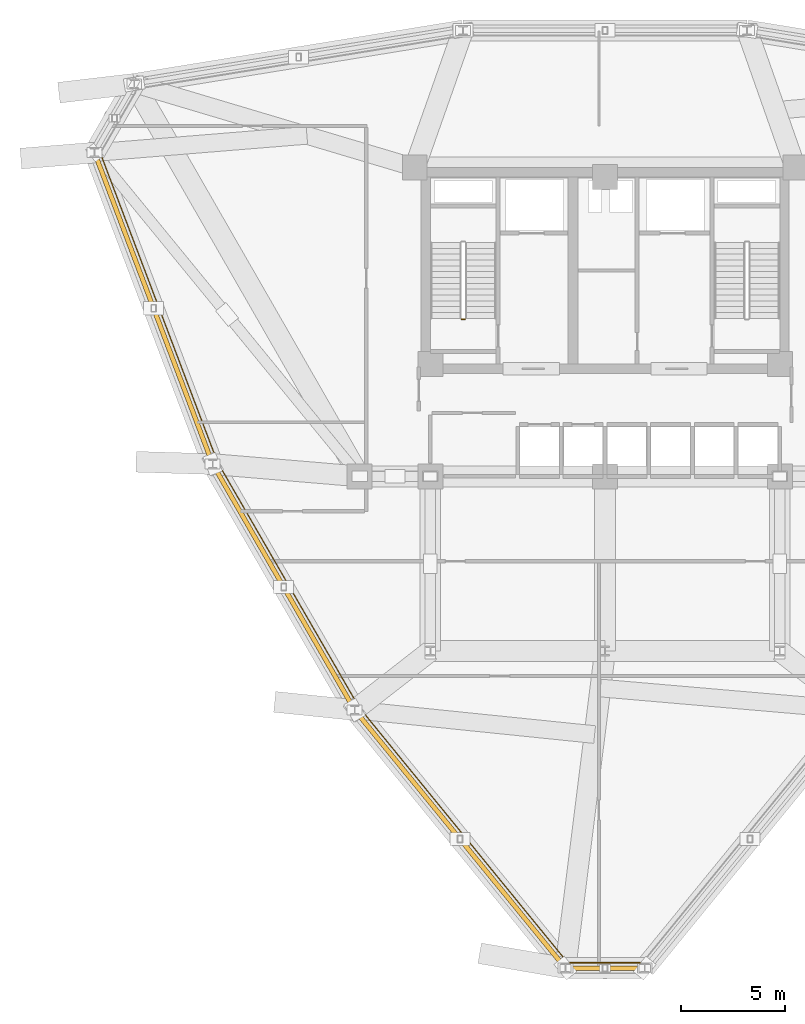
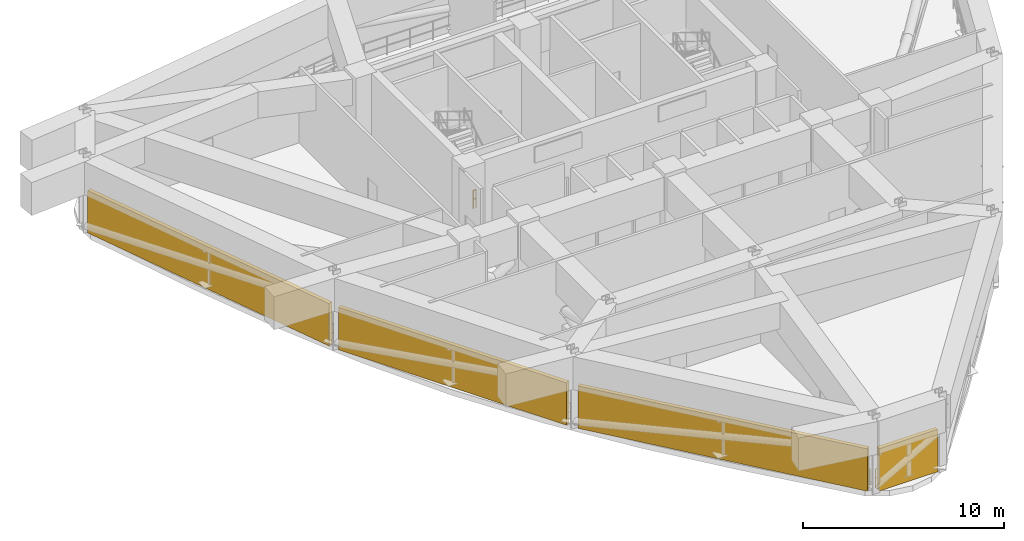
# One storey, part 10 of 13: 5 railings, 4 shading devices.
"""IFC4 building model written with IfcOpenShell, lengths in metres."""

from ifc_helpers import new_model, si_unit, derived_unit, direction, frame, origin, origin_2d, place, context, subcontext, project, spatial, polyline, circle, outline, extrude, material, layer, layer_set, type_object, element, save


model = new_model("IFC4")

# Units and contexts
model_context = context("Model", 3, precision=1e-05, world=origin(), true_north=direction((0.0, 1.0)))
body_context = subcontext(model_context, "Body", "Model", "MODEL_VIEW")
ifc_project = project(units=[si_unit("LENGTHUNIT", "METRE"), si_unit("AREAUNIT", "SQUARE_METRE"), si_unit("VOLUMEUNIT", "CUBIC_METRE"), si_unit("PLANEANGLEUNIT", "RADIAN"), si_unit("MASSUNIT", "GRAM", prefix="KILO"), derived_unit("THERMALTRANSMITTANCEUNIT", [(si_unit("POWERUNIT", "WATT"), 1), (si_unit("LENGTHUNIT", "METRE"), -2), (si_unit("THERMODYNAMICTEMPERATUREUNIT", "KELVIN"), -1)])], contexts=[model_context])

# Site, building, storey
site_placement = place(None, origin())
site = spatial("IfcSite", under=ifc_project, at=site_placement, CompositionType="ELEMENT")
building_placement = place(site_placement, origin())
building = spatial("IfcBuilding", under=site, at=building_placement, Name="Korsvarv Bourse and Concert Hall", CompositionType="ELEMENT")
storey_placement = place(building_placement, frame((0.0, 0.0, 131.39990234375)))
storey = spatial("IfcBuildingStorey", under=building, at=storey_placement, Name="L33", CompositionType="ELEMENT", Elevation=131.39990234375)

# Railings
ifc_material_1 = material(Name="Laminated safety glass and stainless Steel S355 balustrade", Category="steel")
railing_type_1 = type_object("IfcRailingType", Name="RL-BAL-EXT", PredefinedType="BALUSTRADE", material=ifc_material_1)
railing_1_placement = place(storey_placement, frame((11.785888671875, 47.80712890625, 0.0)))
element("IfcRailing", 1, at=railing_1_placement, inside=storey, type_object=railing_type_1, Name="L33 Refuge Band Perimeter Safety Balustrade 6", PredefinedType="BALUSTRADE", context=body_context, shape_type="SweptSolid", body=[
    extrude(circle(Radius=0.02392578125, at=origin_2d()), frame((0.0, 0.0, 1.1259765625), z_axis=(0.35451449939, -0.935050517203, 0.0), x_axis=(0.935050517203, 0.35451449939, 0.0)), (0.0, 0.0, 1.0), 15.4853515625),
    extrude(circle(Radius=0.02392578125, at=origin_2d()), frame((0.0, 0.0, 0.574951171875), z_axis=(0.35451449939, -0.935050517203, 0.0), x_axis=(0.935050517203, 0.35451449939, 0.0)), (0.0, 0.0, 1.0), 15.4853515625),
    extrude(circle(Radius=0.02099609375, at=origin_2d()), origin(), (0.0, 0.0, 1.0), 1.101806640625),
    extrude(circle(Radius=0.02099609375, at=origin_2d()), frame((0.45751953125, -1.20654296875, 0.0)), (0.0, 0.0, 1.0), 1.101806640625),
    extrude(circle(Radius=0.02099609375, at=origin_2d()), frame((0.9150390625, -2.413330078125, 0.0)), (0.0, 0.0, 1.0), 1.101806640625),
    extrude(circle(Radius=0.02099609375, at=origin_2d()), frame((1.37255859375, -3.619873046875, 0.0)), (0.0, 0.0, 1.0), 1.101806640625),
    extrude(circle(Radius=0.02099609375, at=origin_2d()), frame((1.829833984375, -4.826416015625, 0.0)), (0.0, 0.0, 1.0), 1.101806640625),
    extrude(circle(Radius=0.02099609375, at=origin_2d()), frame((2.287353515625, -6.033203125, 0.0)), (0.0, 0.0, 1.0), 1.101806640625),
    extrude(circle(Radius=0.02099609375, at=origin_2d()), frame((2.744873046875, -7.23974609375, 0.0)), (0.0, 0.0, 1.0), 1.101806640625),
    extrude(circle(Radius=0.02099609375, at=origin_2d()), frame((3.202392578125, -8.4462890625, 0.0)), (0.0, 0.0, 1.0), 1.101806640625),
    extrude(circle(Radius=0.02099609375, at=origin_2d()), frame((3.659912109375, -9.653076171875, 0.0)), (0.0, 0.0, 1.0), 1.101806640625),
    extrude(circle(Radius=0.02099609375, at=origin_2d()), frame((4.1171875, -10.859619140625, 0.0)), (0.0, 0.0, 1.0), 1.101806640625),
    extrude(circle(Radius=0.02099609375, at=origin_2d()), frame((4.57470703125, -12.066162109375, 0.0)), (0.0, 0.0, 1.0), 1.101806640625),
    extrude(circle(Radius=0.02099609375, at=origin_2d()), frame((5.0322265625, -13.27294921875, 0.0)), (0.0, 0.0, 1.0), 1.101806640625),
    extrude(circle(Radius=0.02099609375, at=origin_2d()), frame((5.48974609375, -14.4794921875, 0.0)), (0.0, 0.0, 1.0), 1.101806640625),
])
railing_2_placement = place(storey_placement, frame((17.4951171875, 32.868896484375, 0.0)))
element("IfcRailing", 2, at=railing_2_placement, inside=storey, type_object=railing_type_1, Name="L33 Refuge Band Perimeter Safety Balustrade 7", PredefinedType="BALUSTRADE", context=body_context, shape_type="SweptSolid", body=[
    extrude(circle(Radius=0.02392578125, at=origin_2d()), frame((0.0, 0.0, 1.1259765625), z_axis=(0.500008931556, -0.866020247087, 0.0), x_axis=(0.866020247087, 0.500008931556, 0.0)), (0.0, 0.0, 1.0), 13.081787109375),
    extrude(circle(Radius=0.02392578125, at=origin_2d()), frame((0.0, 0.0, 0.574951171875), z_axis=(0.500008931556, -0.866020247087, 0.0), x_axis=(0.866020247087, 0.500008931556, 0.0)), (0.0, 0.0, 1.0), 13.081787109375),
    extrude(circle(Radius=0.02099609375, at=origin_2d()), origin(), (0.0, 0.0, 1.0), 1.101806640625),
    extrude(circle(Radius=0.02099609375, at=origin_2d()), frame((0.654052734375, -1.1328125, 0.0)), (0.0, 0.0, 1.0), 1.101806640625),
    extrude(circle(Radius=0.02099609375, at=origin_2d()), frame((1.30810546875, -2.265869140625, 0.0)), (0.0, 0.0, 1.0), 1.101806640625),
    extrude(circle(Radius=0.02099609375, at=origin_2d()), frame((1.96240234375, -3.398681640625, 0.0)), (0.0, 0.0, 1.0), 1.101806640625),
    extrude(circle(Radius=0.02099609375, at=origin_2d()), frame((2.616455078125, -4.53173828125, 0.0)), (0.0, 0.0, 1.0), 1.101806640625),
    extrude(circle(Radius=0.02099609375, at=origin_2d()), frame((3.2705078125, -5.66455078125, 0.0)), (0.0, 0.0, 1.0), 1.101806640625),
    extrude(circle(Radius=0.02099609375, at=origin_2d()), frame((3.924560546875, -6.79736328125, 0.0)), (0.0, 0.0, 1.0), 1.101806640625),
    extrude(circle(Radius=0.02099609375, at=origin_2d()), frame((4.57861328125, -7.930419921875, 0.0)), (0.0, 0.0, 1.0), 1.101806640625),
    extrude(circle(Radius=0.02099609375, at=origin_2d()), frame((5.23291015625, -9.063232421875, 0.0)), (0.0, 0.0, 1.0), 1.101806640625),
    extrude(circle(Radius=0.02099609375, at=origin_2d()), frame((5.886962890625, -10.1962890625, 0.0)), (0.0, 0.0, 1.0), 1.101806640625),
    extrude(circle(Radius=0.02099609375, at=origin_2d()), frame((6.541015625, -11.3291015625, 0.0)), (0.0, 0.0, 1.0), 1.101806640625),
])
railing_3_placement = place(storey_placement, frame((24.358154296875, 21.077880859375, 0.0)))
element("IfcRailing", 3, at=railing_3_placement, inside=storey, type_object=railing_type_1, Name="L33 Refuge Band Perimeter Safety Balustrade 8", PredefinedType="BALUSTRADE", context=body_context, shape_type="SweptSolid", body=[
    extrude(circle(Radius=0.02392578125, at=origin_2d()), frame((0.0, 0.0, 1.1259765625), z_axis=(0.632515519783, -0.774547685578, 0.0), x_axis=(0.774547685578, 0.632515519783, 0.0)), (0.0, 0.0, 1.0), 15.375732421875),
    extrude(circle(Radius=0.02392578125, at=origin_2d()), frame((0.0, 0.0, 0.574951171875), z_axis=(0.632515519783, -0.774547685578, 0.0), x_axis=(0.774547685578, 0.632515519783, 0.0)), (0.0, 0.0, 1.0), 15.375732421875),
    extrude(circle(Radius=0.02099609375, at=origin_2d()), origin(), (0.0, 0.0, 1.0), 1.101806640625),
    extrude(circle(Radius=0.02099609375, at=origin_2d()), frame((0.810546875, -0.992431640625, 0.0)), (0.0, 0.0, 1.0), 1.101806640625),
    extrude(circle(Radius=0.02099609375, at=origin_2d()), frame((1.620849609375, -1.98486328125, 0.0)), (0.0, 0.0, 1.0), 1.101806640625),
    extrude(circle(Radius=0.02099609375, at=origin_2d()), frame((2.431396484375, -2.977294921875, 0.0)), (0.0, 0.0, 1.0), 1.101806640625),
    extrude(circle(Radius=0.02099609375, at=origin_2d()), frame((3.24169921875, -3.9697265625, 0.0)), (0.0, 0.0, 1.0), 1.101806640625),
    extrude(circle(Radius=0.02099609375, at=origin_2d()), frame((4.05224609375, -4.962158203125, 0.0)), (0.0, 0.0, 1.0), 1.101806640625),
    extrude(circle(Radius=0.02099609375, at=origin_2d()), frame((4.86279296875, -5.95458984375, 0.0)), (0.0, 0.0, 1.0), 1.101806640625),
    extrude(circle(Radius=0.02099609375, at=origin_2d()), frame((5.673095703125, -6.947021484375, 0.0)), (0.0, 0.0, 1.0), 1.101806640625),
    extrude(circle(Radius=0.02099609375, at=origin_2d()), frame((6.483642578125, -7.939453125, 0.0)), (0.0, 0.0, 1.0), 1.101806640625),
    extrude(circle(Radius=0.02099609375, at=origin_2d()), frame((7.2939453125, -8.931884765625, 0.0)), (0.0, 0.0, 1.0), 1.101806640625),
    extrude(circle(Radius=0.02099609375, at=origin_2d()), frame((8.1044921875, -9.92431640625, 0.0)), (0.0, 0.0, 1.0), 1.101806640625),
    extrude(circle(Radius=0.02099609375, at=origin_2d()), frame((8.914794921875, -10.916748046875, 0.0)), (0.0, 0.0, 1.0), 1.101806640625),
    extrude(circle(Radius=0.02099609375, at=origin_2d()), frame((9.725341796875, -11.9091796875, 0.0)), (0.0, 0.0, 1.0), 1.101806640625),
])
railing_4_placement = place(storey_placement, frame((34.321044921875, 9.01318359375, 0.0)))
element("IfcRailing", 4, at=railing_4_placement, inside=storey, type_object=railing_type_1, Name="L33 Refuge Band Perimeter Safety Balustrade 9", PredefinedType="BALUSTRADE", context=body_context, shape_type="SweptSolid", body=[
    extrude(circle(Radius=0.02392578125, at=origin_2d()), frame((0.0, 0.0, 1.1259765625), z_axis=(1.0, 0.0, 0.0), x_axis=(0.0, 1.0, 0.0)), (0.0, 0.0, 1.0), 3.35791015625),
    extrude(circle(Radius=0.02392578125, at=origin_2d()), frame((0.0, 0.0, 0.574951171875), z_axis=(1.0, 0.0, 0.0), x_axis=(0.0, 1.0, 0.0)), (0.0, 0.0, 1.0), 3.35791015625),
    extrude(circle(Radius=0.02099609375, at=origin_2d()), origin(), (0.0, 0.0, 1.0), 1.101806640625),
    extrude(circle(Radius=0.02099609375, at=origin_2d()), frame((1.119384765625, 0.0, 0.0)), (0.0, 0.0, 1.0), 1.101806640625),
    extrude(circle(Radius=0.02099609375, at=origin_2d()), frame((2.238525390625, 0.0, 0.0)), (0.0, 0.0, 1.0), 1.101806640625),
    extrude(circle(Radius=0.02099609375, at=origin_2d()), frame((3.35791015625, 0.0, 0.0)), (0.0, 0.0, 1.0), 1.101806640625),
])
ifc_material_2 = material(Name="Painted Steel S355 stair well guardrail", Category="steel")
railing_type_2 = type_object("IfcRailingType", Name="RL-ST-GRD", PredefinedType="GUARDRAIL", material=ifc_material_2)
railing_5_placement = place(storey_placement, frame((29.260009765625, 39.949951171875, 0.0)))
element("IfcRailing", 5, at=railing_5_placement, inside=storey, type_object=railing_type_2, Name="L33 ST-T1 stair guard 4", PredefinedType="GUARDRAIL", context=body_context, shape_type="SweptSolid", body=[
    extrude(circle(Radius=0.02392578125, at=origin_2d()), frame((0.0, 0.0, 1.076171875), z_axis=(-1.0, 0.0, 0.0), x_axis=(0.0, -1.0, 0.0)), (0.0, 0.0, 1.0), 0.159912109375),
    extrude(circle(Radius=0.02392578125, at=origin_2d()), frame((0.0, 0.0, 0.550048828125), z_axis=(-1.0, 0.0, 0.0), x_axis=(0.0, -1.0, 0.0)), (0.0, 0.0, 1.0), 0.159912109375),
    extrude(circle(Radius=0.02099609375, at=origin_2d()), origin(), (0.0, 0.0, 1.0), 1.052001953125),
    extrude(circle(Radius=0.02099609375, at=origin_2d()), frame((-0.159912109375, 0.0, 0.0)), (0.0, 0.0, 1.0), 1.052001953125),
])

# Shading devices
ifc_material_3 = material(Name="Marine-grade powder-coated aluminium acoustic storm louvre", Category="aluminium")
ifc_layer = layer(ifc_material_3, 0.219970703125)
ifc_layer_set = layer_set([ifc_layer], Name="Marine-grade powder-coated aluminium acoustic storm louvre")
shading_device_type = type_object("IfcShadingDeviceType", Name="SHD-LVR-1", PredefinedType="JALOUSIE", material=ifc_layer_set)
shading_device_1_placement = place(storey_placement, origin())
element("IfcShadingDevice", 6, at=shading_device_1_placement, inside=storey, type_object=shading_device_type, Name="L33 Refuge Acoustic Storm Louvre Bay 6", PredefinedType="JALOUSIE", context=body_context, shape_type="SweptSolid", body=[
    extrude(outline(polyline([(11.65478515625, 47.757568359375), (17.144775390625, 33.278076171875), (16.93896484375, 33.199951171875), (11.44921875, 47.6796875), (11.65478515625, 47.757568359375)])), origin(), (0.0, 0.0, 1.0), 2.570068359375),
])
shading_device_2_placement = place(storey_placement, origin())
element("IfcShadingDevice", 7, at=shading_device_2_placement, inside=storey, type_object=shading_device_type, Name="L33 Refuge Acoustic Storm Louvre Bay 7", PredefinedType="JALOUSIE", context=body_context, shape_type="SweptSolid", body=[
    extrude(outline(polyline([(17.373779296875, 32.799072265625), (23.914794921875, 21.4697265625), (23.724365234375, 21.35986328125), (17.183349609375, 32.68896484375), (17.373779296875, 32.799072265625)])), origin(), (0.0, 0.0, 1.0), 2.570068359375),
])
shading_device_3_placement = place(storey_placement, origin())
element("IfcShadingDevice", 8, at=shading_device_3_placement, inside=storey, type_object=shading_device_type, Name="L33 Refuge Acoustic Storm Louvre Bay 8", PredefinedType="JALOUSIE", context=body_context, shape_type="SweptSolid", body=[
    extrude(outline(polyline([(24.249755859375, 20.989501953125), (33.97509765625, 9.080078125), (33.8046875, 8.94091796875), (24.079345703125, 20.85009765625), (24.249755859375, 20.989501953125)])), origin(), (0.0, 0.0, 1.0), 2.570068359375),
])
shading_device_4_placement = place(storey_placement, origin())
element("IfcShadingDevice", 9, at=shading_device_4_placement, inside=storey, type_object=shading_device_type, Name="L33 Refuge Acoustic Storm Louvre Bay 9", PredefinedType="JALOUSIE", context=body_context, shape_type="SweptSolid", body=[
    extrude(outline(polyline([(34.321044921875, 8.873046875), (37.678955078125, 8.873046875), (37.678955078125, 8.653076171875), (34.321044921875, 8.653076171875), (34.321044921875, 8.873046875)])), origin(), (0.0, 0.0, 1.0), 2.570068359375),
])

save(model, "model.ifc")
